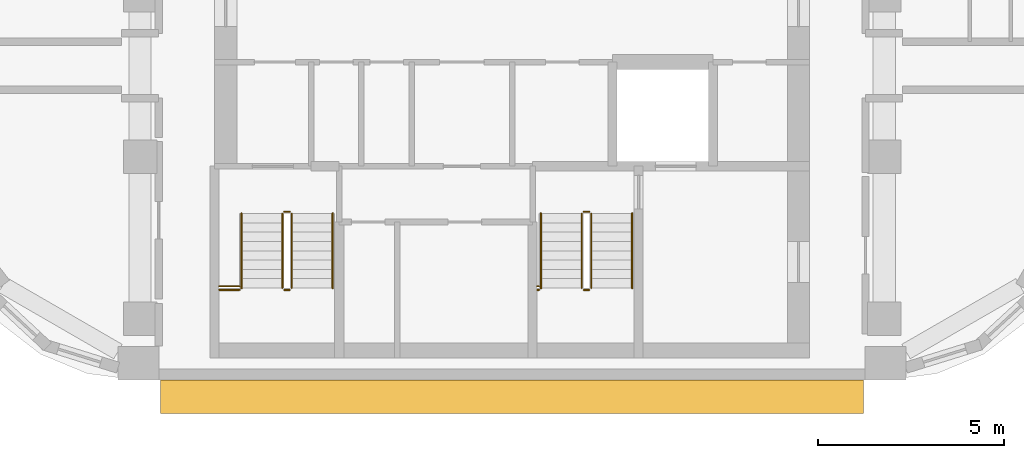
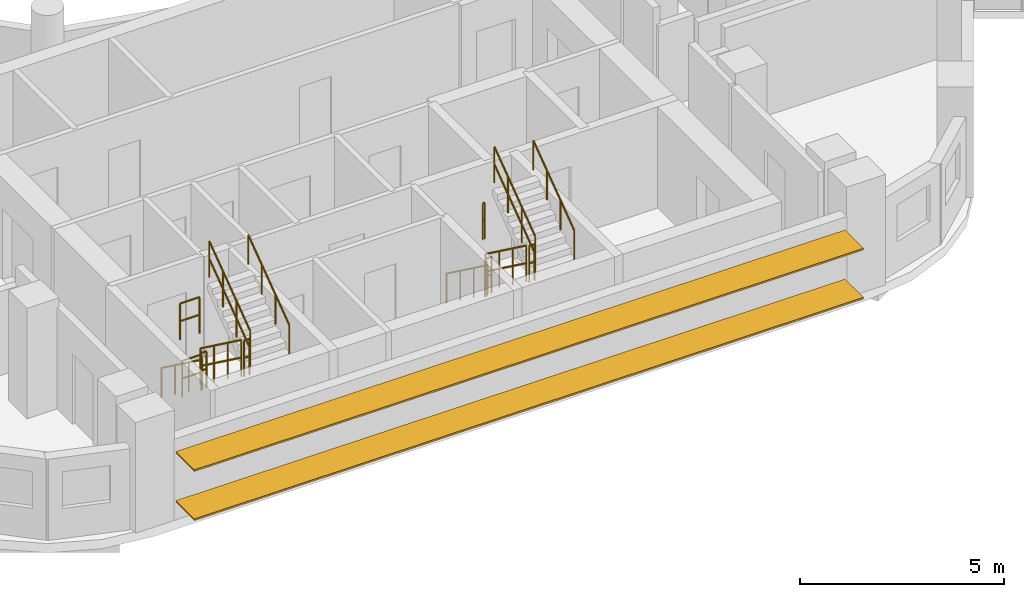
# One storey, part 12 of 14: 16 railings, 2 shading devices.
"""IFC4 building model written with IfcOpenShell, lengths in metres."""

from ifc_helpers import new_model, si_unit, direction, frame, origin, origin_2d, place, context, subcontext, project, spatial, rectangle, circle, extrude, material, material_profile, profile_set, type_object, element, save


model = new_model("IFC4")

# Units and contexts
model_context = context("Model", 3, precision=1e-05, world=origin(), true_north=direction((0.0, 1.0)))
body_context = subcontext(model_context, "Body", "Model", "MODEL_VIEW")
ifc_project = project(units=[si_unit("LENGTHUNIT", "METRE"), si_unit("AREAUNIT", "SQUARE_METRE"), si_unit("VOLUMEUNIT", "CUBIC_METRE"), si_unit("PLANEANGLEUNIT", "RADIAN"), si_unit("MASSUNIT", "GRAM", prefix="KILO")], contexts=[model_context])

# Site, building, storey
site_placement = place(None, origin())
site = spatial("IfcSite", under=ifc_project, at=site_placement, CompositionType="ELEMENT")
building_placement = place(site_placement, origin())
building = spatial("IfcBuilding", under=site, at=building_placement, Name="Nakaniwa Court", CompositionType="ELEMENT")
storey_placement = place(building_placement, frame((0.0, 0.0, 259.199951171875)))
storey = spatial("IfcBuildingStorey", under=building, at=storey_placement, Name="L68", CompositionType="ELEMENT", Elevation=259.199951171875)

# Shading devices
ifc_material_1 = material(Name="Perforated charcoal ceramic louvre blade")
ifc_material_profile = material_profile(ifc_material_1, rectangle(XDim=0.89990234375, YDim=0.050048828125, at=origin_2d()), Name="Perforated ceramic louvre blade")
ifc_profile_set = profile_set([ifc_material_profile], Name="Perforated charcoal ceramic louvre blade")
shading_device_type = type_object("IfcShadingDeviceType", Name="Perforated ceramic louvre blade", PredefinedType="JALOUSIE", material=ifc_profile_set)
for number, where, z_axis, x_axis, name in (
    (1, (70.55078125, 56.89990234375, 0.550048828125), (1.0, 0.0, 0.0), (0.0, 1.0, 0.0), "L68 perforated ceramic louvre blade w26 1"),
    (2, (70.55078125, 56.89990234375, 2.01513671875), (1.0, 0.0, 0.0), (0.0, 1.0, 0.0), "L68 perforated ceramic louvre blade w26 2"),
):
    element("IfcShadingDevice", number, at=place(storey_placement, frame(where, z_axis=z_axis, x_axis=x_axis)), inside=storey, type_object=shading_device_type, Name=name, PredefinedType="JALOUSIE", context=body_context, shape_type="SweptSolid", body=[
        extrude(rectangle(XDim=0.89990234375, YDim=0.050048828125, at=origin_2d()), origin(), (0.0, 0.0, 1.0), 18.892822265625),
    ])

# Railings
ifc_material_2 = material(Name="Black powder coated steel guard", Category="steel")
railing_type_1 = type_object("IfcRailingType", Name="Stair guard 1100", PredefinedType="GUARDRAIL", material=ifc_material_2)
railing_1_placement = place(storey_placement, frame((73.824951171875, 61.824951171875, 0.183349609375)))
element("IfcRailing", 3, at=railing_1_placement, inside=storey, type_object=railing_type_1, Name="L68 ST3 stair guard 1", PredefinedType="GUARDRAIL", context=body_context, shape_type="SweptSolid", body=[
    extrude(circle(Radius=0.02392578125, at=origin_2d()), frame((0.0, 0.0, 1.076171875), z_axis=(0.0, -0.806379959628, 0.591397802423), x_axis=(1.0, 0.0, 0.0)), (0.0, 0.0, 1.0), 2.480224609375),
    extrude(circle(Radius=0.02392578125, at=origin_2d()), frame((0.0, 0.0, 0.550048828125), z_axis=(0.0, -0.806379959628, 0.591397802423), x_axis=(1.0, 0.0, 0.0)), (0.0, 0.0, 1.0), 2.480224609375),
    extrude(circle(Radius=0.02099609375, at=origin_2d()), origin(), (0.0, 0.0, 1.0), 1.052001953125),
    extrude(circle(Radius=0.02099609375, at=origin_2d()), frame((0.0, -0.666748046875, 0.489013671875)), (0.0, 0.0, 1.0), 1.052001953125),
    extrude(circle(Radius=0.02099609375, at=origin_2d()), frame((0.0, -1.333251953125, 0.977783203125)), (0.0, 0.0, 1.0), 1.052001953125),
    extrude(circle(Radius=0.02099609375, at=origin_2d()), frame((0.0, -2.0, 1.466796875)), (0.0, 0.0, 1.0), 1.052001953125),
])
railing_2_placement = place(storey_placement, frame((73.875, 59.77490234375, 1.650146484375)))
element("IfcRailing", 4, at=railing_2_placement, inside=storey, type_object=railing_type_1, Name="L68 ST3 stair guard 2", PredefinedType="GUARDRAIL", context=body_context, shape_type="SweptSolid", body=[
    extrude(circle(Radius=0.02392578125, at=origin_2d()), frame((0.0, 0.0, 1.076171875), z_axis=(1.0, 0.0, 0.0), x_axis=(0.0, 1.0, 0.0)), (0.0, 0.0, 1.0), 0.14990234375),
    extrude(circle(Radius=0.02392578125, at=origin_2d()), frame((0.0, 0.0, 0.550048828125), z_axis=(1.0, 0.0, 0.0), x_axis=(0.0, 1.0, 0.0)), (0.0, 0.0, 1.0), 0.14990234375),
    extrude(circle(Radius=0.02099609375, at=origin_2d()), origin(), (0.0, 0.0, 1.0), 1.052001953125),
    extrude(circle(Radius=0.02099609375, at=origin_2d()), frame((0.14990234375, 0.0, 0.0)), (0.0, 0.0, 1.0), 1.052001953125),
])
railing_3_placement = place(storey_placement, frame((74.074951171875, 59.824951171875, 1.83349609375)))
element("IfcRailing", 5, at=railing_3_placement, inside=storey, type_object=railing_type_1, Name="L68 ST3 stair guard 3", PredefinedType="GUARDRAIL", context=body_context, shape_type="SweptSolid", body=[
    extrude(circle(Radius=0.02392578125, at=origin_2d()), frame((0.0, 0.0, 1.076171875), z_axis=(0.0, 0.806426902644, 0.591333789573), x_axis=(-1.0, 0.0, 0.0)), (0.0, 0.0, 1.0), 2.47998046875),
    extrude(circle(Radius=0.02392578125, at=origin_2d()), frame((0.0, 0.0, 0.550048828125), z_axis=(0.0, 0.806426902644, 0.591333789573), x_axis=(-1.0, 0.0, 0.0)), (0.0, 0.0, 1.0), 2.47998046875),
    extrude(circle(Radius=0.02099609375, at=origin_2d()), origin(), (0.0, 0.0, 1.0), 1.052001953125),
    extrude(circle(Radius=0.02099609375, at=origin_2d()), frame((0.0, 0.666748046875, 0.48876953125)), (0.0, 0.0, 1.0), 1.052001953125),
    extrude(circle(Radius=0.02099609375, at=origin_2d()), frame((0.0, 1.333251953125, 0.977783203125)), (0.0, 0.0, 1.0), 1.052001953125),
    extrude(circle(Radius=0.02099609375, at=origin_2d()), frame((0.0, 2.0, 1.466552734375)), (0.0, 0.0, 1.0), 1.052001953125),
])
railing_4_placement = place(storey_placement, frame((73.875, 61.875, 0.0)))
element("IfcRailing", 6, at=railing_4_placement, inside=storey, type_object=railing_type_1, Name="L68 ST3 stair guard 4", PredefinedType="GUARDRAIL", context=body_context, shape_type="SweptSolid", body=[
    extrude(circle(Radius=0.02392578125, at=origin_2d()), frame((0.0, 0.0, 1.076171875), z_axis=(1.0, 0.0, 0.0), x_axis=(0.0, 1.0, 0.0)), (0.0, 0.0, 1.0), 0.14990234375),
    extrude(circle(Radius=0.02392578125, at=origin_2d()), frame((0.0, 0.0, 0.550048828125), z_axis=(1.0, 0.0, 0.0), x_axis=(0.0, 1.0, 0.0)), (0.0, 0.0, 1.0), 0.14990234375),
    extrude(circle(Radius=0.02099609375, at=origin_2d()), origin(), (0.0, 0.0, 1.0), 1.052001953125),
    extrude(circle(Radius=0.02099609375, at=origin_2d()), frame((0.14990234375, 0.0, 0.0)), (0.0, 0.0, 1.0), 1.052001953125),
])
for number, where, name in (
    (7, (72.125, 59.77490234375, 1.650146484375), "L68 ST3 landing side guard 1W"),
    (8, (72.125, 59.875, 3.300048828125), "L68 ST3 floor edge guard 1W"),
):
    element("IfcRailing", number, at=place(storey_placement, frame(where)), inside=storey, type_object=railing_type_1, Name=name, PredefinedType="GUARDRAIL", context=body_context, shape_type="SweptSolid", body=[
        extrude(circle(Radius=0.02392578125, at=origin_2d()), frame((0.0, 0.0, 1.076171875), z_axis=(1.0, 0.0, 0.0), x_axis=(0.0, 1.0, 0.0)), (0.0, 0.0, 1.0), 0.550048828125),
        extrude(circle(Radius=0.02392578125, at=origin_2d()), frame((0.0, 0.0, 0.550048828125), z_axis=(1.0, 0.0, 0.0), x_axis=(0.0, 1.0, 0.0)), (0.0, 0.0, 1.0), 0.550048828125),
        extrude(circle(Radius=0.02099609375, at=origin_2d()), origin(), (0.0, 0.0, 1.0), 1.052001953125),
        extrude(circle(Radius=0.02099609375, at=origin_2d()), frame((0.550048828125, 0.0, 0.0)), (0.0, 0.0, 1.0), 1.052001953125),
    ])
railing_5_placement = place(storey_placement, frame((81.875, 61.824951171875, 0.183349609375)))
element("IfcRailing", 9, at=railing_5_placement, inside=storey, type_object=railing_type_1, Name="L68 ST4 stair guard 1", PredefinedType="GUARDRAIL", context=body_context, shape_type="SweptSolid", body=[
    extrude(circle(Radius=0.02392578125, at=origin_2d()), frame((0.0, 0.0, 1.076171875), z_axis=(0.0, -0.806379959628, 0.591397802423), x_axis=(1.0, 0.0, 0.0)), (0.0, 0.0, 1.0), 2.480224609375),
    extrude(circle(Radius=0.02392578125, at=origin_2d()), frame((0.0, 0.0, 0.550048828125), z_axis=(0.0, -0.806379959628, 0.591397802423), x_axis=(1.0, 0.0, 0.0)), (0.0, 0.0, 1.0), 2.480224609375),
    extrude(circle(Radius=0.02099609375, at=origin_2d()), origin(), (0.0, 0.0, 1.0), 1.052001953125),
    extrude(circle(Radius=0.02099609375, at=origin_2d()), frame((0.0, -0.666748046875, 0.489013671875)), (0.0, 0.0, 1.0), 1.052001953125),
    extrude(circle(Radius=0.02099609375, at=origin_2d()), frame((0.0, -1.333251953125, 0.977783203125)), (0.0, 0.0, 1.0), 1.052001953125),
    extrude(circle(Radius=0.02099609375, at=origin_2d()), frame((0.0, -2.0, 1.466796875)), (0.0, 0.0, 1.0), 1.052001953125),
])
railing_6_placement = place(storey_placement, frame((81.925048828125, 59.77490234375, 1.650146484375)))
element("IfcRailing", 10, at=railing_6_placement, inside=storey, type_object=railing_type_1, Name="L68 ST4 stair guard 2", PredefinedType="GUARDRAIL", context=body_context, shape_type="SweptSolid", body=[
    extrude(circle(Radius=0.02392578125, at=origin_2d()), frame((0.0, 0.0, 1.076171875), z_axis=(1.0, 0.0, 0.0), x_axis=(0.0, 1.0, 0.0)), (0.0, 0.0, 1.0), 0.14990234375),
    extrude(circle(Radius=0.02392578125, at=origin_2d()), frame((0.0, 0.0, 0.550048828125), z_axis=(1.0, 0.0, 0.0), x_axis=(0.0, 1.0, 0.0)), (0.0, 0.0, 1.0), 0.14990234375),
    extrude(circle(Radius=0.02099609375, at=origin_2d()), origin(), (0.0, 0.0, 1.0), 1.052001953125),
    extrude(circle(Radius=0.02099609375, at=origin_2d()), frame((0.14990234375, 0.0, 0.0)), (0.0, 0.0, 1.0), 1.052001953125),
])
railing_7_placement = place(storey_placement, frame((82.125, 59.824951171875, 1.83349609375)))
element("IfcRailing", 11, at=railing_7_placement, inside=storey, type_object=railing_type_1, Name="L68 ST4 stair guard 3", PredefinedType="GUARDRAIL", context=body_context, shape_type="SweptSolid", body=[
    extrude(circle(Radius=0.02392578125, at=origin_2d()), frame((0.0, 0.0, 1.076171875), z_axis=(0.0, 0.806426902644, 0.591333789573), x_axis=(-1.0, 0.0, 0.0)), (0.0, 0.0, 1.0), 2.47998046875),
    extrude(circle(Radius=0.02392578125, at=origin_2d()), frame((0.0, 0.0, 0.550048828125), z_axis=(0.0, 0.806426902644, 0.591333789573), x_axis=(-1.0, 0.0, 0.0)), (0.0, 0.0, 1.0), 2.47998046875),
    extrude(circle(Radius=0.02099609375, at=origin_2d()), origin(), (0.0, 0.0, 1.0), 1.052001953125),
    extrude(circle(Radius=0.02099609375, at=origin_2d()), frame((0.0, 0.666748046875, 0.48876953125)), (0.0, 0.0, 1.0), 1.052001953125),
    extrude(circle(Radius=0.02099609375, at=origin_2d()), frame((0.0, 1.333251953125, 0.977783203125)), (0.0, 0.0, 1.0), 1.052001953125),
    extrude(circle(Radius=0.02099609375, at=origin_2d()), frame((0.0, 2.0, 1.466552734375)), (0.0, 0.0, 1.0), 1.052001953125),
])
railing_8_placement = place(storey_placement, frame((81.925048828125, 61.875, 0.0)))
element("IfcRailing", 12, at=railing_8_placement, inside=storey, type_object=railing_type_1, Name="L68 ST4 stair guard 4", PredefinedType="GUARDRAIL", context=body_context, shape_type="SweptSolid", body=[
    extrude(circle(Radius=0.02392578125, at=origin_2d()), frame((0.0, 0.0, 1.076171875), z_axis=(1.0, 0.0, 0.0), x_axis=(0.0, 1.0, 0.0)), (0.0, 0.0, 1.0), 0.14990234375),
    extrude(circle(Radius=0.02392578125, at=origin_2d()), frame((0.0, 0.0, 0.550048828125), z_axis=(1.0, 0.0, 0.0), x_axis=(0.0, 1.0, 0.0)), (0.0, 0.0, 1.0), 0.14990234375),
    extrude(circle(Radius=0.02099609375, at=origin_2d()), origin(), (0.0, 0.0, 1.0), 1.052001953125),
    extrude(circle(Radius=0.02099609375, at=origin_2d()), frame((0.14990234375, 0.0, 0.0)), (0.0, 0.0, 1.0), 1.052001953125),
])
for number, where, name in (
    (13, (80.675048828125, 59.77490234375, 1.650146484375), "L68 ST4 landing side guard 1W"),
    (14, (80.675048828125, 59.875, 3.300048828125), "L68 ST4 floor edge guard 1W"),
):
    element("IfcRailing", number, at=place(storey_placement, frame(where)), inside=storey, type_object=railing_type_1, Name=name, PredefinedType="GUARDRAIL", context=body_context, shape_type="SweptSolid", body=[
        extrude(circle(Radius=0.02392578125, at=origin_2d()), frame((0.0, 0.0, 1.076171875), z_axis=(1.0, 0.0, 0.0), x_axis=(0.0, 1.0, 0.0)), (0.0, 0.0, 1.0), 0.050048828125),
        extrude(circle(Radius=0.02392578125, at=origin_2d()), frame((0.0, 0.0, 0.550048828125), z_axis=(1.0, 0.0, 0.0), x_axis=(0.0, 1.0, 0.0)), (0.0, 0.0, 1.0), 0.050048828125),
        extrude(circle(Radius=0.02099609375, at=origin_2d()), origin(), (0.0, 0.0, 1.0), 1.052001953125),
        extrude(circle(Radius=0.02099609375, at=origin_2d()), frame((0.050048828125, 0.0, 0.0)), (0.0, 0.0, 1.0), 1.052001953125),
    ])
ifc_material_3 = material(Name="Black powder coated steel handrail", Category="steel")
railing_type_2 = type_object("IfcRailingType", Name="Stair handrail 900", PredefinedType="HANDRAIL", material=ifc_material_3)
railing_9_placement = place(storey_placement, frame((72.72509765625, 61.824951171875, 0.183349609375)))
element("IfcRailing", 15, at=railing_9_placement, inside=storey, type_object=railing_type_2, Name="L68 ST3 stair handrail 1", PredefinedType="HANDRAIL", context=body_context, shape_type="SweptSolid", body=[
    extrude(circle(Radius=0.02392578125, at=origin_2d()), frame((0.0, 0.0, 0.8759765625), z_axis=(0.0, -0.806379959628, 0.591397802423), x_axis=(1.0, 0.0, 0.0)), (0.0, 0.0, 1.0), 2.480224609375),
    extrude(circle(Radius=0.02099609375, at=origin_2d()), origin(), (0.0, 0.0, 1.0), 0.851806640625),
    extrude(circle(Radius=0.02099609375, at=origin_2d()), frame((0.0, -0.666748046875, 0.489013671875)), (0.0, 0.0, 1.0), 0.851806640625),
    extrude(circle(Radius=0.02099609375, at=origin_2d()), frame((0.0, -1.333251953125, 0.977783203125)), (0.0, 0.0, 1.0), 0.851806640625),
    extrude(circle(Radius=0.02099609375, at=origin_2d()), frame((0.0, -2.0, 1.466796875)), (0.0, 0.0, 1.0), 0.851806640625),
])
railing_10_placement = place(storey_placement, frame((75.175048828125, 59.824951171875, 1.83349609375)))
element("IfcRailing", 16, at=railing_10_placement, inside=storey, type_object=railing_type_2, Name="L68 ST3 stair handrail 2", PredefinedType="HANDRAIL", context=body_context, shape_type="SweptSolid", body=[
    extrude(circle(Radius=0.02392578125, at=origin_2d()), frame((0.0, 0.0, 0.8759765625), z_axis=(0.0, 0.806426902644, 0.591333789573), x_axis=(-1.0, 0.0, 0.0)), (0.0, 0.0, 1.0), 2.47998046875),
    extrude(circle(Radius=0.02099609375, at=origin_2d()), origin(), (0.0, 0.0, 1.0), 0.851806640625),
    extrude(circle(Radius=0.02099609375, at=origin_2d()), frame((0.0, 0.666748046875, 0.48876953125)), (0.0, 0.0, 1.0), 0.851806640625),
    extrude(circle(Radius=0.02099609375, at=origin_2d()), frame((0.0, 1.333251953125, 0.977783203125)), (0.0, 0.0, 1.0), 0.851806640625),
    extrude(circle(Radius=0.02099609375, at=origin_2d()), frame((0.0, 2.0, 1.466552734375)), (0.0, 0.0, 1.0), 0.851806640625),
])
railing_11_placement = place(storey_placement, frame((80.77490234375, 61.824951171875, 0.183349609375)))
element("IfcRailing", 17, at=railing_11_placement, inside=storey, type_object=railing_type_2, Name="L68 ST4 stair handrail 1", PredefinedType="HANDRAIL", context=body_context, shape_type="SweptSolid", body=[
    extrude(circle(Radius=0.02392578125, at=origin_2d()), frame((0.0, 0.0, 0.8759765625), z_axis=(0.0, -0.806379959628, 0.591397802423), x_axis=(1.0, 0.0, 0.0)), (0.0, 0.0, 1.0), 2.480224609375),
    extrude(circle(Radius=0.02099609375, at=origin_2d()), origin(), (0.0, 0.0, 1.0), 0.851806640625),
    extrude(circle(Radius=0.02099609375, at=origin_2d()), frame((0.0, -0.666748046875, 0.489013671875)), (0.0, 0.0, 1.0), 0.851806640625),
    extrude(circle(Radius=0.02099609375, at=origin_2d()), frame((0.0, -1.333251953125, 0.977783203125)), (0.0, 0.0, 1.0), 0.851806640625),
    extrude(circle(Radius=0.02099609375, at=origin_2d()), frame((0.0, -2.0, 1.466796875)), (0.0, 0.0, 1.0), 0.851806640625),
])
railing_12_placement = place(storey_placement, frame((83.22509765625, 59.824951171875, 1.83349609375)))
element("IfcRailing", 18, at=railing_12_placement, inside=storey, type_object=railing_type_2, Name="L68 ST4 stair handrail 2", PredefinedType="HANDRAIL", context=body_context, shape_type="SweptSolid", body=[
    extrude(circle(Radius=0.02392578125, at=origin_2d()), frame((0.0, 0.0, 0.8759765625), z_axis=(0.0, 0.806426902644, 0.591333789573), x_axis=(-1.0, 0.0, 0.0)), (0.0, 0.0, 1.0), 2.47998046875),
    extrude(circle(Radius=0.02099609375, at=origin_2d()), origin(), (0.0, 0.0, 1.0), 0.851806640625),
    extrude(circle(Radius=0.02099609375, at=origin_2d()), frame((0.0, 0.666748046875, 0.48876953125)), (0.0, 0.0, 1.0), 0.851806640625),
    extrude(circle(Radius=0.02099609375, at=origin_2d()), frame((0.0, 1.333251953125, 0.977783203125)), (0.0, 0.0, 1.0), 0.851806640625),
    extrude(circle(Radius=0.02099609375, at=origin_2d()), frame((0.0, 2.0, 1.466552734375)), (0.0, 0.0, 1.0), 0.851806640625),
])

save(model, "model.ifc")
